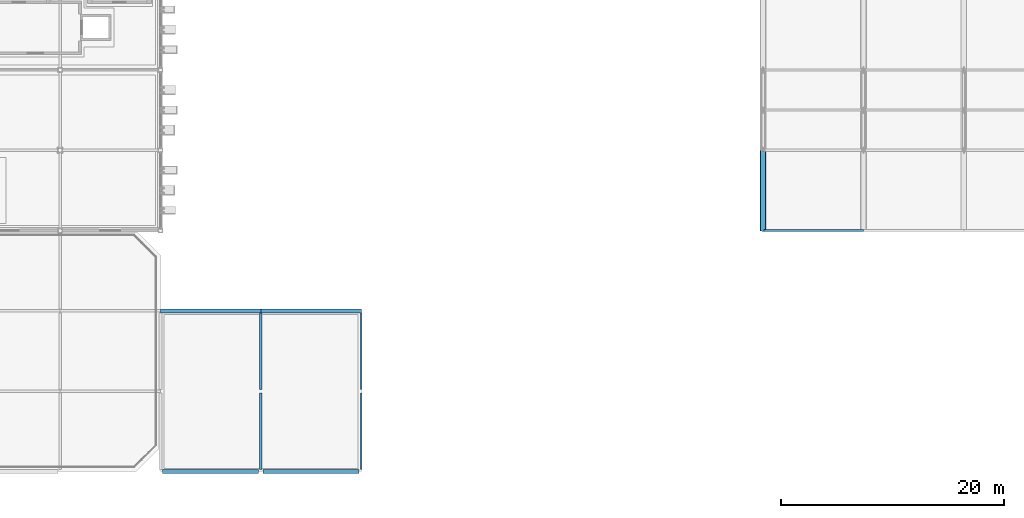
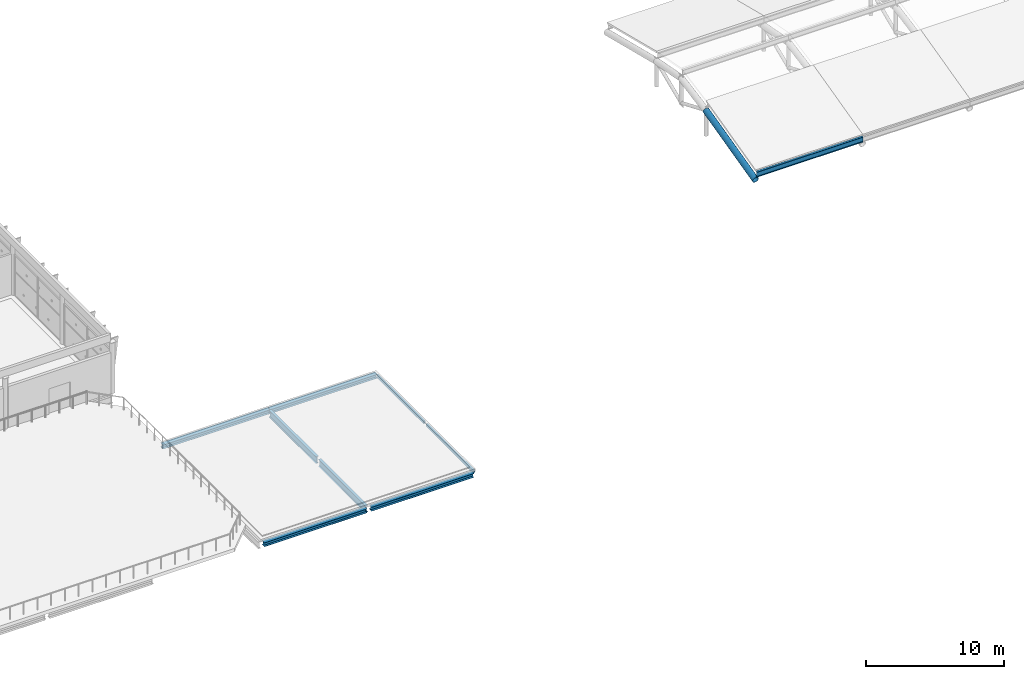
# One storey, part 36 of 52: 8 beams, 2 members.
"""IFC4 building model written with IfcOpenShell, lengths in metres."""

from ifc_helpers import new_model, si_unit, direction, frame, origin, origin_2d, place, context, subcontext, project, spatial, hollow_rectangle, hollow_circle, i_section, extrude, material, material_profile, profile_set, type_object, element, save


model = new_model("IFC4")

# Units and contexts
model_context = context("Model", 3, precision=1e-05, world=origin(), true_north=direction((0.0, 1.0)))
body_context = subcontext(model_context, "Body", "Model", "MODEL_VIEW")
ifc_project = project(units=[si_unit("LENGTHUNIT", "METRE"), si_unit("AREAUNIT", "SQUARE_METRE"), si_unit("VOLUMEUNIT", "CUBIC_METRE"), si_unit("PLANEANGLEUNIT", "RADIAN"), si_unit("MASSUNIT", "GRAM", prefix="KILO")], contexts=[model_context])

# Site, building, storey
site_placement = place(None, origin())
site = spatial("IfcSite", under=ifc_project, at=site_placement, CompositionType="ELEMENT")
building_placement = place(site_placement, origin())
building = spatial("IfcBuilding", under=site, at=building_placement, Name="Celestram Park Convention Centre", CompositionType="ELEMENT")
storey_placement = place(building_placement, frame((0.0, 0.0, 24.300048828125)))
storey = spatial("IfcBuildingStorey", under=building, at=storey_placement, Name="L05", CompositionType="ELEMENT", Elevation=24.300048828125)

# Beams
ifc_material_1 = material(Name="Steel ASTM A992 Grade 50", Category="steel")
ifc_material_profile_1 = material_profile(ifc_material_1, i_section(OverallWidth=0.22900390625, OverallDepth=0.612060546875, WebThickness=0.011962890625, FlangeThickness=0.01953125, at=origin_2d()), Name="W24X84")
ifc_profile_set_1 = profile_set([ifc_material_profile_1], Name="Steel ASTM A992 Grade 50")
beam_type_1 = type_object("IfcBeamType", Name="STR-BM-W24X84", PredefinedType="BEAM", material=ifc_profile_set_1)
beam_1_placement = place(storey_placement, frame((108.0, 108.197998046875, -0.546142578125), z_axis=(0.0, 1.0, 0.0), x_axis=(-1.0, 0.0, 0.0)))
element("IfcBeam", 1, at=beam_1_placement, inside=storey, type_object=beam_type_1, Name="Primary Y-girder BG-L05-0110", PredefinedType="BEAM", context=body_context, shape_type="SweptSolid", body=[
    extrude(i_section(OverallWidth=0.22900390625, OverallDepth=0.612060546875, WebThickness=0.011962890625, FlangeThickness=0.01953125, at=origin_2d()), origin(), (0.0, 0.0, 1.0), 6.825927734375),
])
beam_2_placement = place(storey_placement, frame((108.0, 115.3759765625, -0.546142578125), z_axis=(0.0, 1.0, 0.0), x_axis=(-1.0, 0.0, 0.0)))
element("IfcBeam", 2, at=beam_2_placement, inside=storey, type_object=beam_type_1, Name="Primary Y-girder BG-L05-0111", PredefinedType="BEAM", context=body_context, shape_type="SweptSolid", body=[
    extrude(i_section(OverallWidth=0.22900390625, OverallDepth=0.612060546875, WebThickness=0.011962890625, FlangeThickness=0.01953125, at=origin_2d()), origin(), (0.0, 0.0, 1.0), 6.84814453125),
])

# Members
ifc_material_2 = material(Name="Steel ASTM A500 Grade C", Category="steel")
ifc_material_profile_2 = material_profile(ifc_material_2, hollow_circle(Radius=0.25390625, WallThickness=0.01611328125, at=origin_2d()), Name="CHS508X16")
ifc_profile_set_2 = profile_set([ifc_material_profile_2], Name="Steel ASTM A500 Grade C")
member_type_1 = type_object("IfcMemberType", Name="STR-CHD-CHS508", PredefinedType="CHORD", material=ifc_profile_set_2)
member_1_placement = place(storey_placement, frame((153.0, 129.60009765625, -0.0693359375), z_axis=(0.0, 0.970179256757, 0.242388551212), x_axis=(-1.0, 0.0, 0.0)))
element("IfcMember", 3, at=member_1_placement, inside=storey, type_object=member_type_1, Name="V2 arch top chord", PredefinedType="CHORD", context=body_context, shape_type="SweptSolid", body=[
    extrude(hollow_circle(Radius=0.25390625, WallThickness=0.01611328125, at=origin_2d()), origin(), (0.0, 0.0, 1.0), 7.421142578125),
])
ifc_material_profile_3 = material_profile(ifc_material_1, i_section(OverallWidth=0.19091796875, OverallDepth=0.45703125, WebThickness=0.009033203125, FlangeThickness=0.014404296875, at=origin_2d()), Name="W18X50")
ifc_profile_set_3 = profile_set([ifc_material_profile_3], Name="Steel ASTM A992 Grade 50")
member_type_2 = type_object("IfcMemberType", Name="STR-RFT-W18X50", PredefinedType="RAFTER", material=ifc_profile_set_3)
member_2_placement = place(storey_placement, frame((153.080078125, 129.60009765625, 0.4130859375), z_axis=(1.0, 0.0, 0.0), x_axis=(0.0, 1.0, 0.0)))
element("IfcMember", 4, at=member_2_placement, inside=storey, type_object=member_type_2, Name="V2 roof purlin", PredefinedType="RAFTER", context=body_context, shape_type="SweptSolid", body=[
    extrude(i_section(OverallWidth=0.19091796875, OverallDepth=0.45703125, WebThickness=0.009033203125, FlangeThickness=0.014404296875, at=origin_2d()), origin(), (0.0, 0.0, 1.0), 8.919921875),
])

# Beams
ifc_material_profile_4 = material_profile(ifc_material_2, hollow_rectangle(XDim=0.14990234375, YDim=0.25, WallThickness=0.010009765625, at=origin_2d()), Name="HSS250X150X10")
ifc_profile_set_4 = profile_set([ifc_material_profile_4], Name="Steel ASTM A500 Grade C")
beam_type_2 = type_object("IfcBeamType", Name="STR-SPN-HSS250X150", PredefinedType="SPANDREL", material=ifc_profile_set_4)
beam_3_placement = place(storey_placement, frame((117.0, 108.197998046875, -0.364990234375), z_axis=(0.0, 1.0, 0.0), x_axis=(-1.0, 0.0, 0.0)))
element("IfcBeam", 5, at=beam_3_placement, inside=storey, type_object=beam_type_2, Name="Primary Y-girder BG-L05-0113", PredefinedType="SPANDREL", context=body_context, shape_type="SweptSolid", body=[
    extrude(hollow_rectangle(XDim=0.14990234375, YDim=0.25, WallThickness=0.010009765625, at=origin_2d()), origin(), (0.0, 0.0, 1.0), 6.825927734375),
])
beam_4_placement = place(storey_placement, frame((117.0, 115.3759765625, -0.364990234375), z_axis=(0.0, 1.0, 0.0), x_axis=(-1.0, 0.0, 0.0)))
element("IfcBeam", 6, at=beam_4_placement, inside=storey, type_object=beam_type_2, Name="Primary Y-girder BG-L05-0114", PredefinedType="SPANDREL", context=body_context, shape_type="SweptSolid", body=[
    extrude(hollow_rectangle(XDim=0.14990234375, YDim=0.25, WallThickness=0.010009765625, at=origin_2d()), origin(), (0.0, 0.0, 1.0), 6.84814453125),
])
ifc_material_profile_5 = material_profile(ifc_material_1, i_section(OverallWidth=0.367919921875, OverallDepth=0.35595703125, WebThickness=0.01123046875, FlangeThickness=0.01806640625, at=origin_2d()), Name="W14X90")
ifc_profile_set_5 = profile_set([ifc_material_profile_5], Name="Steel ASTM A992 Grade 50")
beam_type_3 = type_object("IfcBeamType", Name="STR-SPN-W14X90", PredefinedType="SPANDREL", material=ifc_profile_set_5)
beam_5_placement = place(storey_placement, frame((99.197998046875, 108.0, -0.41796875), z_axis=(1.0, 0.0, 0.0), x_axis=(0.0, 1.0, 0.0)))
element("IfcBeam", 7, at=beam_5_placement, inside=storey, type_object=beam_type_3, Name="Primary X-girder BG-L05-0100", PredefinedType="SPANDREL", context=body_context, shape_type="SweptSolid", body=[
    extrude(i_section(OverallWidth=0.367919921875, OverallDepth=0.35595703125, WebThickness=0.01123046875, FlangeThickness=0.01806640625, at=origin_2d()), origin(), (0.0, 0.0, 1.0), 8.60400390625),
])
beam_6_placement = place(storey_placement, frame((99.0048828125, 122.39990234375, -0.41796875), z_axis=(1.0, 0.0, 0.0), x_axis=(0.0, 1.0, 0.0)))
element("IfcBeam", 8, at=beam_6_placement, inside=storey, type_object=beam_type_3, Name="Primary X-girder BG-L05-0103", PredefinedType="SPANDREL", context=body_context, shape_type="SweptSolid", body=[
    extrude(i_section(OverallWidth=0.367919921875, OverallDepth=0.35595703125, WebThickness=0.01123046875, FlangeThickness=0.01806640625, at=origin_2d()), origin(), (0.0, 0.0, 1.0), 8.990234375),
])
beam_7_placement = place(storey_placement, frame((108.197998046875, 108.0, -0.41796875), z_axis=(1.0, 0.0, 0.0), x_axis=(0.0, 1.0, 0.0)))
element("IfcBeam", 9, at=beam_7_placement, inside=storey, type_object=beam_type_3, Name="Primary X-girder BG-L05-0109", PredefinedType="SPANDREL", context=body_context, shape_type="SweptSolid", body=[
    extrude(i_section(OverallWidth=0.367919921875, OverallDepth=0.35595703125, WebThickness=0.01123046875, FlangeThickness=0.01806640625, at=origin_2d()), origin(), (0.0, 0.0, 1.0), 8.60400390625),
])
beam_8_placement = place(storey_placement, frame((108.0048828125, 122.39990234375, -0.41796875), z_axis=(1.0, 0.0, 0.0), x_axis=(0.0, 1.0, 0.0)))
element("IfcBeam", 10, at=beam_8_placement, inside=storey, type_object=beam_type_3, Name="Primary X-girder BG-L05-0112", PredefinedType="SPANDREL", context=body_context, shape_type="SweptSolid", body=[
    extrude(i_section(OverallWidth=0.367919921875, OverallDepth=0.35595703125, WebThickness=0.01123046875, FlangeThickness=0.01806640625, at=origin_2d()), origin(), (0.0, 0.0, 1.0), 8.990234375),
])

save(model, "model.ifc")
